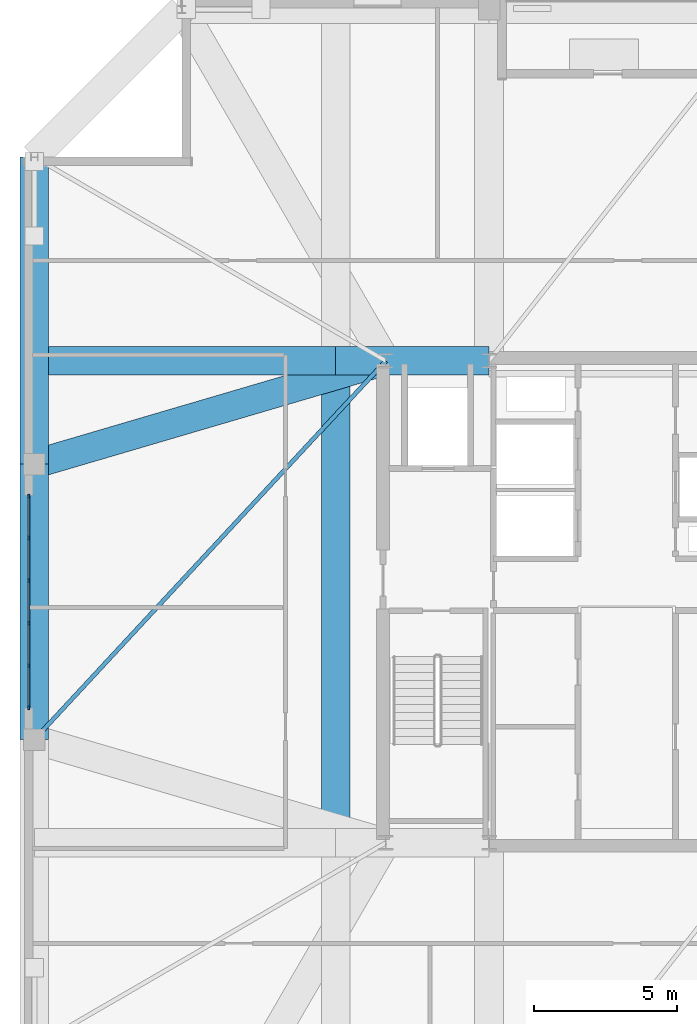
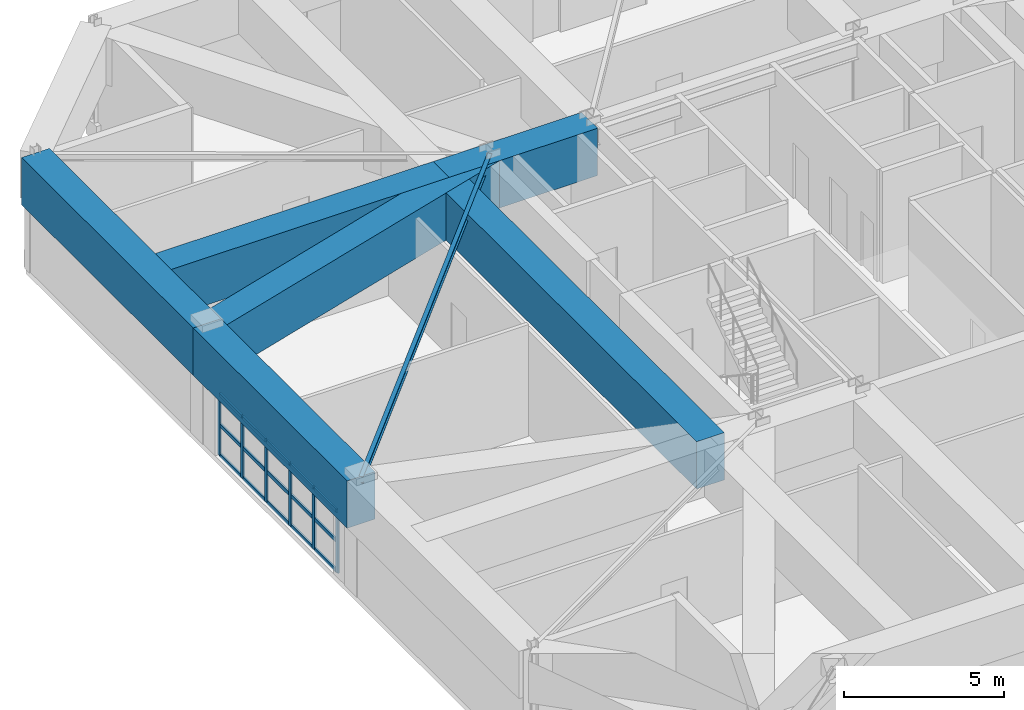
# One storey, part 8 of 17: 21 members, 7 beams, 1 element without a shape of its own.
"""IFC4 building model written with IfcOpenShell, lengths in metres."""

import ifcopenshell
import ifcopenshell.guid

model = None  # the IFC model being written
_history = None  # IfcOwnerHistory: only IFC2X3 demands one
_inside = {}  # id of a spatial element -> (the spatial element, [elements in it])
_under = {}  # id of a project, library or spatial element -> (it, [spatial elements below it])
_declared = {}  # id of a project -> (the project, [libraries it declares])
_typed = {}  # id of a type object -> (the type object, [elements of that type])
_made_of = {}  # id of a material, layer set ... -> (it, [elements and type objects made of it])


def new_model(schema):
    """Start an empty IFC model of exactly this schema.

    Asked for "IFC4X3", IfcOpenShell would pick the latest addendum, in which some entities
    have other attributes; the version numbers below select the first issue.
    IFC2X3 requires an IfcOwnerHistory on every rooted entity: one is made here for all.
    """
    global model, _history
    if schema == "IFC4X3":
        model = ifcopenshell.file(schema_version=(4, 3, 0, 0))
    else:
        model = ifcopenshell.file(schema=schema)
    _inside.clear()
    _under.clear()
    _declared.clear()
    _typed.clear()
    _made_of.clear()
    _history = None
    if model.schema == "IFC2X3":
        org = make("IfcOrganization", Name="unknown")
        user = make(
            "IfcPersonAndOrganization",
            ThePerson=make("IfcPerson", FamilyName="unknown"),
            TheOrganization=org,
        )
        app = make(
            "IfcApplication",
            ApplicationDeveloper=org,
            Version="unknown",
            ApplicationFullName="unknown",
            ApplicationIdentifier="unknown",
        )
        _history = make(
            "IfcOwnerHistory",
            OwningUser=user,
            OwningApplication=app,
            ChangeAction="ADDED",
            CreationDate=0,
        )
    return model


def make(cls, **values):
    """One entity of the class cls with the attributes given. An attribute that is None is left unset."""
    return model.create_entity(
        cls, **{name: value for name, value in values.items() if value is not None}
    )


def rooted(cls, **values):
    """An entity with a GlobalId (a new one), such as an element, a storey or a relation."""
    return make(cls, GlobalId=ifcopenshell.guid.new(), OwnerHistory=_history, **values)


def si_unit(unit_type, name, prefix=None):
    """IfcSIUnit, for example si_unit("LENGTHUNIT", "METRE", prefix="MILLI")."""
    return make("IfcSIUnit", UnitType=unit_type, Prefix=prefix, Name=name)


def assignment(units):
    """IfcUnitAssignment: the units of a project."""
    return None if units is None else make("IfcUnitAssignment", Units=units)


def point(xyz):
    """IfcCartesianPoint."""
    return None if xyz is None else make("IfcCartesianPoint", Coordinates=xyz)


def direction(xyz):
    """IfcDirection."""
    return None if xyz is None else make("IfcDirection", DirectionRatios=xyz)


def frame(location, z_axis=None, x_axis=None):
    """IfcAxis2Placement3D, a coordinate frame: its origin and axes. An axis left out is left unset."""
    return make(
        "IfcAxis2Placement3D",
        Location=point(location),
        Axis=direction(z_axis),
        RefDirection=direction(x_axis),
    )


def frame_2d(location, x_axis=None):
    """IfcAxis2Placement2D, a coordinate frame in the plane: its origin and x axis."""
    return make(
        "IfcAxis2Placement2D", Location=point(location), RefDirection=direction(x_axis)
    )


def origin():
    """The frame at (0, 0, 0) with its axes left unset."""
    return frame((0.0, 0.0, 0.0))


def origin_2d():
    """The frame at (0, 0) in the plane with its x axis left unset."""
    return frame_2d((0.0, 0.0))


def place(relative_to, where):
    """IfcLocalPlacement: puts the frame where relative to a parent placement (None: the world)."""
    return make(
        "IfcLocalPlacement", PlacementRelTo=relative_to, RelativePlacement=where
    )


def context(
    kind, dimensions, precision=None, world=None, true_north=None, identifier=None
):
    """IfcGeometricRepresentationContext, for example the 3D "Model" context."""
    return make(
        "IfcGeometricRepresentationContext",
        ContextIdentifier=identifier,
        ContextType=kind,
        CoordinateSpaceDimension=dimensions,
        Precision=precision,
        WorldCoordinateSystem=world,
        TrueNorth=true_north,
    )


def subcontext(parent, identifier, kind, view, scale=None):
    """IfcGeometricRepresentationSubContext, for example "Body" below "Model"."""
    return make(
        "IfcGeometricRepresentationSubContext",
        ContextIdentifier=identifier,
        ContextType=kind,
        ParentContext=parent,
        TargetScale=scale,
        TargetView=view,
    )


def project(units=None, contexts=None):
    """IfcProject with its units and contexts."""
    return rooted(
        "IfcProject",
        Name="project",
        RepresentationContexts=contexts,
        UnitsInContext=assignment(units),
    )


def spatial(cls, under=None, at=None, **own):
    """A site, building, storey or space (cls), placed at a placement, below another one or the project."""
    s = rooted(cls, ObjectPlacement=at, **own)
    if under is not None:
        _under.setdefault(under.id(), (under, []))[1].append(s)
    return s


def profile(cls, at=None, kind="AREA", **sizes):
    """A parametric profile (cls). Its sizes go by their IFC names, for example OverallWidth=200.0."""
    return make(cls, ProfileType=kind, Position=at, **sizes)


def rectangle(**sizes):
    """IfcRectangleProfileDef."""
    return profile("IfcRectangleProfileDef", **sizes)


def i_section(**sizes):
    """IfcIShapeProfileDef."""
    return profile("IfcIShapeProfileDef", **sizes)


def extrude(swept, where, along, depth):
    """IfcExtrudedAreaSolid: the profile swept, set in the frame where, extruded along a direction by depth."""
    return make(
        "IfcExtrudedAreaSolid",
        SweptArea=swept,
        Position=where,
        ExtrudedDirection=direction(along),
        Depth=depth,
    )


def shape(context_of_items, identifier, shape_type, items):
    """IfcShapeRepresentation: the items that make up one representation, for example the "Body"."""
    return make(
        "IfcShapeRepresentation",
        ContextOfItems=context_of_items,
        RepresentationIdentifier=identifier,
        RepresentationType=shape_type,
        Items=items,
    )


def material(Name=None, Category=None):
    """IfcMaterial."""
    return make("IfcMaterial", Name=Name, Category=Category)


def layer(
    of_material, thickness, ventilated=None, Name=None, Category=None, Priority=None
):
    """IfcMaterialLayer: one layer of a wall or slab, of a material (None: an air gap)."""
    return make(
        "IfcMaterialLayer",
        Material=of_material,
        LayerThickness=thickness,
        IsVentilated=ventilated,
        Name=Name,
        Category=Category,
        Priority=Priority,
    )


def layer_set(layers, Name=None):
    """IfcMaterialLayerSet."""
    return make("IfcMaterialLayerSet", MaterialLayers=layers, LayerSetName=Name)


def material_profile(
    of_material, cross_section, Name=None, Category=None, Priority=None
):
    """IfcMaterialProfile: a cross section and its material."""
    return make(
        "IfcMaterialProfile",
        Name=Name,
        Material=of_material,
        Profile=cross_section,
        Priority=Priority,
        Category=Category,
    )


def profile_set(profiles, Name=None, composite=None):
    """IfcMaterialProfileSet."""
    return make(
        "IfcMaterialProfileSet",
        Name=Name,
        MaterialProfiles=profiles,
        CompositeProfile=composite,
    )


def made_of(thing, what):
    """Note that an element or type object is made of a material, layer set ...; save() writes the relation."""
    if what is not None:
        _made_of.setdefault(what.id(), (what, []))[1].append(thing)
    return thing


def type_object(cls, material=None, **own):
    """A type object (cls), such as IfcWallType, which elements share."""
    return made_of(rooted(cls, **own), material)


def element(
    cls,
    number,
    at=None,
    inside=None,
    cuts=None,
    type_object=None,
    material=None,
    context=None,
    identifier="Body",
    shape_type=None,
    held_by="IfcProductDefinitionShape",
    body=None,
    shapes=None,
    **own,
):
    """One element of the class cls, such as IfcWall. Its Tag is "e" and its number.

    at: its placement. inside: the storey or other place that contains it. cuts: it is an
    opening in that element (IfcRelVoidsElement). A single representation is given by context,
    identifier, shape_type and body (its items); several are given by shapes. held_by: the class
    of the entity that holds the representations. save() writes the other relations.
    """
    e = rooted(cls, Tag="e%d" % number, ObjectPlacement=at, **own)
    if body is not None:
        shapes = [shape(context, identifier, shape_type, body)]
    if shapes is not None:
        e.Representation = make(held_by, Representations=shapes)
    if inside is not None:
        _inside.setdefault(inside.id(), (inside, []))[1].append(e)
    if cuts is not None:
        rooted(
            "IfcRelVoidsElement", RelatingBuildingElement=cuts, RelatedOpeningElement=e
        )
    if type_object is not None:
        _typed.setdefault(type_object.id(), (type_object, []))[1].append(e)
    return made_of(e, material)


def aggregate(whole, parts):
    """IfcRelAggregates: a whole, such as a stair, and the parts it consists of."""
    return rooted("IfcRelAggregates", RelatingObject=whole, RelatedObjects=parts)


def save(model, path):
    """Write the relations noted so far, then the file.

    IfcRelAggregates (storeys below a building ...), IfcRelContainedInSpatialStructure (elements
    in a storey), IfcRelDefinesByType, IfcRelAssociatesMaterial and IfcRelDeclares: one each for
    every whole, place, type object, material and project.
    """
    for whole, parts in _under.values():
        aggregate(whole, parts)
    for where, things in _inside.values():
        rooted(
            "IfcRelContainedInSpatialStructure",
            RelatedElements=things,
            RelatingStructure=where,
        )
    for kind, things in _typed.values():
        rooted("IfcRelDefinesByType", RelatedObjects=things, RelatingType=kind)
    for what, things in _made_of.values():
        rooted("IfcRelAssociatesMaterial", RelatedObjects=things, RelatingMaterial=what)
    for by, libraries in _declared.values():
        rooted("IfcRelDeclares", RelatingContext=by, RelatedDefinitions=libraries)
    model.write(path)


model = new_model("IFC4")

# Units and contexts
model_context = context("Model", 3, precision=1e-05, world=origin(), true_north=direction((0.0, 1.0)))
body_context = subcontext(model_context, "Body", "Model", "MODEL_VIEW")
ifc_project = project(units=[si_unit("LENGTHUNIT", "METRE"), si_unit("AREAUNIT", "SQUARE_METRE"), si_unit("VOLUMEUNIT", "CUBIC_METRE"), si_unit("PLANEANGLEUNIT", "RADIAN"), si_unit("MASSUNIT", "GRAM", prefix="KILO")], contexts=[model_context])

# Site, building, storey
site_placement = place(None, origin())
site = spatial("IfcSite", under=ifc_project, at=site_placement, CompositionType="ELEMENT")
building_placement = place(site_placement, origin())
building = spatial("IfcBuilding", under=site, at=building_placement, Name="Cairnveth Concourse Tower", CompositionType="ELEMENT")
storey_placement = place(building_placement, frame((0.0, 0.0, 320.0)))
storey = spatial("IfcBuildingStorey", under=building, at=storey_placement, Name="L88", CompositionType="ELEMENT", Elevation=320.0)

# Curtain wall, members
ifc_material_1 = material(Name="Architectural Bronze Anodised Aluminium 6063-T6", Category="aluminium")
ifc_layer = layer(ifc_material_1, 0.300048828125)
ifc_layer_set = layer_set([ifc_layer], Name="Architectural Bronze Anodised Aluminium 6063-T6")
curtain_wall_type = type_object("IfcCurtainWallType", Name="OBSERVATION HORIZON CURTAIN WALL", PredefinedType="USERDEFINED", material=ifc_layer_set)
curtain_wall_placement = place(storey_placement, origin())
curtain_wall = element("IfcCurtainWall", 1, at=curtain_wall_placement, inside=storey, type_object=curtain_wall_type, Name="Curtain Wall CW-L88-F9", ObjectType="UNITISED FACADE", PredefinedType="USERDEFINED")
ifc_material_profile_1 = material_profile(ifc_material_1, rectangle(XDim=0.06494140625, YDim=0.14990234375, at=origin_2d()), Name="AL-MUL-65x150")
ifc_profile_set_1 = profile_set([ifc_material_profile_1], Name="Architectural Bronze Anodised Aluminium 6063-T6")
member_type_1 = type_object("IfcMemberType", Name="BRONZE CURTAIN WALL MULLION AL-MUL-65x150", PredefinedType="MULLION", material=ifc_profile_set_1)
member_1_placement = place(storey_placement, frame((31.14990234375, 35.3173828125, 0.0), z_axis=(0.0, 0.0, 1.0), x_axis=(-1.0, 0.0, 0.0)))
member_1 = element("IfcMember", 2, at=member_1_placement, type_object=member_type_1, Name="CWS5 mullion 1", PredefinedType="MULLION", context=body_context, shape_type="SweptSolid", body=[
    extrude(rectangle(XDim=0.06494140625, YDim=0.14990234375, at=origin_2d()), origin(), (0.0, 0.0, 1.0), 2.35009765625),
])
member_2_placement = place(storey_placement, frame((31.14990234375, 36.77099609375, 0.0), z_axis=(0.0, 0.0, 1.0), x_axis=(-1.0, 0.0, 0.0)))
member_2 = element("IfcMember", 3, at=member_2_placement, type_object=member_type_1, Name="CWS5 mullion 2", PredefinedType="MULLION", context=body_context, shape_type="SweptSolid", body=[
    extrude(rectangle(XDim=0.06494140625, YDim=0.14990234375, at=origin_2d()), origin(), (0.0, 0.0, 1.0), 2.35009765625),
])
member_3_placement = place(storey_placement, frame((31.14990234375, 38.257080078125, 0.0), z_axis=(0.0, 0.0, 1.0), x_axis=(-1.0, 0.0, 0.0)))
member_3 = element("IfcMember", 4, at=member_3_placement, type_object=member_type_1, Name="CWS5 mullion 3", PredefinedType="MULLION", context=body_context, shape_type="SweptSolid", body=[
    extrude(rectangle(XDim=0.06494140625, YDim=0.14990234375, at=origin_2d()), origin(), (0.0, 0.0, 1.0), 2.35009765625),
])
member_4_placement = place(storey_placement, frame((31.14990234375, 39.742919921875, 0.0), z_axis=(0.0, 0.0, 1.0), x_axis=(-1.0, 0.0, 0.0)))
member_4 = element("IfcMember", 5, at=member_4_placement, type_object=member_type_1, Name="CWS5 mullion 4", PredefinedType="MULLION", context=body_context, shape_type="SweptSolid", body=[
    extrude(rectangle(XDim=0.06494140625, YDim=0.14990234375, at=origin_2d()), origin(), (0.0, 0.0, 1.0), 2.35009765625),
])
member_5_placement = place(storey_placement, frame((31.14990234375, 41.22900390625, 0.0), z_axis=(0.0, 0.0, 1.0), x_axis=(-1.0, 0.0, 0.0)))
member_5 = element("IfcMember", 6, at=member_5_placement, type_object=member_type_1, Name="CWS5 mullion 5", PredefinedType="MULLION", context=body_context, shape_type="SweptSolid", body=[
    extrude(rectangle(XDim=0.06494140625, YDim=0.14990234375, at=origin_2d()), origin(), (0.0, 0.0, 1.0), 2.35009765625),
])
member_6_placement = place(storey_placement, frame((31.14990234375, 42.6826171875, 0.0), z_axis=(0.0, 0.0, 1.0), x_axis=(-1.0, 0.0, 0.0)))
member_6 = element("IfcMember", 7, at=member_6_placement, type_object=member_type_1, Name="CWS5 mullion 6", PredefinedType="MULLION", context=body_context, shape_type="SweptSolid", body=[
    extrude(rectangle(XDim=0.06494140625, YDim=0.14990234375, at=origin_2d()), origin(), (0.0, 0.0, 1.0), 2.35009765625),
])
ifc_material_profile_2 = material_profile(ifc_material_1, rectangle(XDim=0.06494140625, YDim=0.139892578125, at=origin_2d()), Name="AL-TRN-65x140")
ifc_profile_set_2 = profile_set([ifc_material_profile_2], Name="Architectural Bronze Anodised Aluminium 6063-T6")
member_type_2 = type_object("IfcMemberType", Name="BRONZE CURTAIN WALL TRANSOM AL-TRN-65x140", PredefinedType="USERDEFINED", material=ifc_profile_set_2)
member_7_placement = place(storey_placement, frame((31.14990234375, 35.35009765625, 0.032470703125), z_axis=(0.0, 1.0, 0.0), x_axis=(-1.0, 0.0, 0.0)))
member_7 = element("IfcMember", 8, at=member_7_placement, type_object=member_type_2, Name="CWS5 transom 1.1", ObjectType="TRANSOM", PredefinedType="USERDEFINED", context=body_context, shape_type="SweptSolid", body=[
    extrude(rectangle(XDim=0.06494140625, YDim=0.139892578125, at=origin_2d()), origin(), (0.0, 0.0, 1.0), 1.388427734375),
])
member_8_placement = place(storey_placement, frame((31.14990234375, 35.35009765625, 1.175048828125), z_axis=(0.0, 1.0, 0.0), x_axis=(-1.0, 0.0, 0.0)))
member_8 = element("IfcMember", 9, at=member_8_placement, type_object=member_type_2, Name="CWS5 transom 1.2", ObjectType="TRANSOM", PredefinedType="USERDEFINED", context=body_context, shape_type="SweptSolid", body=[
    extrude(rectangle(XDim=0.06494140625, YDim=0.139892578125, at=origin_2d()), origin(), (0.0, 0.0, 1.0), 1.388427734375),
])
member_9_placement = place(storey_placement, frame((31.14990234375, 35.35009765625, 2.3173828125), z_axis=(0.0, 1.0, 0.0), x_axis=(-1.0, 0.0, 0.0)))
member_9 = element("IfcMember", 10, at=member_9_placement, type_object=member_type_2, Name="CWS5 transom 1.3", ObjectType="TRANSOM", PredefinedType="USERDEFINED", context=body_context, shape_type="SweptSolid", body=[
    extrude(rectangle(XDim=0.06494140625, YDim=0.139892578125, at=origin_2d()), origin(), (0.0, 0.0, 1.0), 1.388427734375),
])
member_10_placement = place(storey_placement, frame((31.14990234375, 36.803466796875, 0.032470703125), z_axis=(0.0, 1.0, 0.0), x_axis=(-1.0, 0.0, 0.0)))
member_10 = element("IfcMember", 11, at=member_10_placement, type_object=member_type_2, Name="CWS5 transom 2.1", ObjectType="TRANSOM", PredefinedType="USERDEFINED", context=body_context, shape_type="SweptSolid", body=[
    extrude(rectangle(XDim=0.06494140625, YDim=0.139892578125, at=origin_2d()), origin(), (0.0, 0.0, 1.0), 1.421142578125),
])
member_11_placement = place(storey_placement, frame((31.14990234375, 36.803466796875, 1.175048828125), z_axis=(0.0, 1.0, 0.0), x_axis=(-1.0, 0.0, 0.0)))
member_11 = element("IfcMember", 12, at=member_11_placement, type_object=member_type_2, Name="CWS5 transom 2.2", ObjectType="TRANSOM", PredefinedType="USERDEFINED", context=body_context, shape_type="SweptSolid", body=[
    extrude(rectangle(XDim=0.06494140625, YDim=0.139892578125, at=origin_2d()), origin(), (0.0, 0.0, 1.0), 1.421142578125),
])
member_12_placement = place(storey_placement, frame((31.14990234375, 36.803466796875, 2.3173828125), z_axis=(0.0, 1.0, 0.0), x_axis=(-1.0, 0.0, 0.0)))
member_12 = element("IfcMember", 13, at=member_12_placement, type_object=member_type_2, Name="CWS5 transom 2.3", ObjectType="TRANSOM", PredefinedType="USERDEFINED", context=body_context, shape_type="SweptSolid", body=[
    extrude(rectangle(XDim=0.06494140625, YDim=0.139892578125, at=origin_2d()), origin(), (0.0, 0.0, 1.0), 1.421142578125),
])
member_13_placement = place(storey_placement, frame((31.14990234375, 38.28955078125, 0.032470703125), z_axis=(0.0, 1.0, 0.0), x_axis=(-1.0, 0.0, 0.0)))
member_13 = element("IfcMember", 14, at=member_13_placement, type_object=member_type_2, Name="CWS5 transom 3.1", ObjectType="TRANSOM", PredefinedType="USERDEFINED", context=body_context, shape_type="SweptSolid", body=[
    extrude(rectangle(XDim=0.06494140625, YDim=0.139892578125, at=origin_2d()), origin(), (0.0, 0.0, 1.0), 1.4208984375),
])
member_14_placement = place(storey_placement, frame((31.14990234375, 38.28955078125, 1.175048828125), z_axis=(0.0, 1.0, 0.0), x_axis=(-1.0, 0.0, 0.0)))
member_14 = element("IfcMember", 15, at=member_14_placement, type_object=member_type_2, Name="CWS5 transom 3.2", ObjectType="TRANSOM", PredefinedType="USERDEFINED", context=body_context, shape_type="SweptSolid", body=[
    extrude(rectangle(XDim=0.06494140625, YDim=0.139892578125, at=origin_2d()), origin(), (0.0, 0.0, 1.0), 1.4208984375),
])
member_15_placement = place(storey_placement, frame((31.14990234375, 38.28955078125, 2.3173828125), z_axis=(0.0, 1.0, 0.0), x_axis=(-1.0, 0.0, 0.0)))
member_15 = element("IfcMember", 16, at=member_15_placement, type_object=member_type_2, Name="CWS5 transom 3.3", ObjectType="TRANSOM", PredefinedType="USERDEFINED", context=body_context, shape_type="SweptSolid", body=[
    extrude(rectangle(XDim=0.06494140625, YDim=0.139892578125, at=origin_2d()), origin(), (0.0, 0.0, 1.0), 1.4208984375),
])
member_16_placement = place(storey_placement, frame((31.14990234375, 39.775390625, 0.032470703125), z_axis=(0.0, 1.0, 0.0), x_axis=(-1.0, 0.0, 0.0)))
member_16 = element("IfcMember", 17, at=member_16_placement, type_object=member_type_2, Name="CWS5 transom 4.1", ObjectType="TRANSOM", PredefinedType="USERDEFINED", context=body_context, shape_type="SweptSolid", body=[
    extrude(rectangle(XDim=0.06494140625, YDim=0.139892578125, at=origin_2d()), origin(), (0.0, 0.0, 1.0), 1.421142578125),
])
member_17_placement = place(storey_placement, frame((31.14990234375, 39.775390625, 1.175048828125), z_axis=(0.0, 1.0, 0.0), x_axis=(-1.0, 0.0, 0.0)))
member_17 = element("IfcMember", 18, at=member_17_placement, type_object=member_type_2, Name="CWS5 transom 4.2", ObjectType="TRANSOM", PredefinedType="USERDEFINED", context=body_context, shape_type="SweptSolid", body=[
    extrude(rectangle(XDim=0.06494140625, YDim=0.139892578125, at=origin_2d()), origin(), (0.0, 0.0, 1.0), 1.421142578125),
])
member_18_placement = place(storey_placement, frame((31.14990234375, 39.775390625, 2.3173828125), z_axis=(0.0, 1.0, 0.0), x_axis=(-1.0, 0.0, 0.0)))
member_18 = element("IfcMember", 19, at=member_18_placement, type_object=member_type_2, Name="CWS5 transom 4.3", ObjectType="TRANSOM", PredefinedType="USERDEFINED", context=body_context, shape_type="SweptSolid", body=[
    extrude(rectangle(XDim=0.06494140625, YDim=0.139892578125, at=origin_2d()), origin(), (0.0, 0.0, 1.0), 1.421142578125),
])
member_19_placement = place(storey_placement, frame((31.14990234375, 41.261474609375, 0.032470703125), z_axis=(0.0, 1.0, 0.0), x_axis=(-1.0, 0.0, 0.0)))
member_19 = element("IfcMember", 20, at=member_19_placement, type_object=member_type_2, Name="CWS5 transom 5.1", ObjectType="TRANSOM", PredefinedType="USERDEFINED", context=body_context, shape_type="SweptSolid", body=[
    extrude(rectangle(XDim=0.06494140625, YDim=0.139892578125, at=origin_2d()), origin(), (0.0, 0.0, 1.0), 1.388427734375),
])
member_20_placement = place(storey_placement, frame((31.14990234375, 41.261474609375, 1.175048828125), z_axis=(0.0, 1.0, 0.0), x_axis=(-1.0, 0.0, 0.0)))
member_20 = element("IfcMember", 21, at=member_20_placement, type_object=member_type_2, Name="CWS5 transom 5.2", ObjectType="TRANSOM", PredefinedType="USERDEFINED", context=body_context, shape_type="SweptSolid", body=[
    extrude(rectangle(XDim=0.06494140625, YDim=0.139892578125, at=origin_2d()), origin(), (0.0, 0.0, 1.0), 1.388427734375),
])
member_21_placement = place(storey_placement, frame((31.14990234375, 41.261474609375, 2.3173828125), z_axis=(0.0, 1.0, 0.0), x_axis=(-1.0, 0.0, 0.0)))
member_21 = element("IfcMember", 22, at=member_21_placement, type_object=member_type_2, Name="CWS5 transom 5.3", ObjectType="TRANSOM", PredefinedType="USERDEFINED", context=body_context, shape_type="SweptSolid", body=[
    extrude(rectangle(XDim=0.06494140625, YDim=0.139892578125, at=origin_2d()), origin(), (0.0, 0.0, 1.0), 1.388427734375),
])
aggregate(curtain_wall, [member_1, member_2, member_3, member_4, member_5, member_6, member_7, member_8, member_9, member_10, member_11, member_12, member_13, member_14, member_15, member_16, member_17, member_18, member_19, member_20, member_21])

# Beams
ifc_material_2 = material(Name="Concrete N65 (65 MPa)", Category="concrete")
ifc_material_profile_3 = material_profile(ifc_material_2, rectangle(XDim=1.0, YDim=1.800048828125, at=origin_2d()), Name="RC-TB-1000x1800")
ifc_profile_set_3 = profile_set([ifc_material_profile_3], Name="Concrete N65 (65 MPa)")
beam_type_1 = type_object("IfcBeamType", Name="CONCRETE TRANSFER GIRDER 1000X1800", PredefinedType="BEAM", material=ifc_profile_set_3)
beam_1_placement = place(storey_placement, frame((31.35009765625, 34.199951171875, 3.35009765625), z_axis=(0.0, 1.0, 0.0), x_axis=(-1.0, 0.0, 0.0)))
element("IfcBeam", 23, at=beam_1_placement, inside=storey, type_object=beam_type_1, Name="Beam SP-W2 L88", PredefinedType="BEAM", context=body_context, shape_type="SweptSolid", body=[
    extrude(rectangle(XDim=1.0, YDim=1.800048828125, at=origin_2d()), origin(), (0.0, 0.0, 1.0), 9.60009765625),
])
beam_2_placement = place(storey_placement, frame((31.35009765625, 43.800048828125, 3.35009765625), z_axis=(0.0, 1.0, 0.0), x_axis=(-1.0, 0.0, 0.0)))
element("IfcBeam", 24, at=beam_2_placement, inside=storey, type_object=beam_type_1, Name="Beam SP-W3 L88", PredefinedType="BEAM", context=body_context, shape_type="SweptSolid", body=[
    extrude(rectangle(XDim=1.0, YDim=1.800048828125, at=origin_2d()), origin(), (0.0, 0.0, 1.0), 10.699951171875),
])
beam_3_placement = place(storey_placement, frame((31.35009765625, 43.800048828125, 3.35009765625), z_axis=(0.959430938842, 0.281943741893, 0.0), x_axis=(-0.281943741893, 0.959430938842, 0.0)))
element("IfcBeam", 25, at=beam_3_placement, inside=storey, type_object=beam_type_1, Name="Beam RG-W2 L88", PredefinedType="BEAM", context=body_context, shape_type="SweptSolid", body=[
    extrude(rectangle(XDim=1.0, YDim=1.800048828125, at=origin_2d()), origin(), (0.0, 0.0, 1.0), 12.76806640625),
])
beam_4_placement = place(storey_placement, frame((31.35009765625, 47.39990234375, 3.35009765625), z_axis=(1.0, 0.0, 0.0), x_axis=(0.0, 1.0, 0.0)))
element("IfcBeam", 26, at=beam_4_placement, inside=storey, type_object=beam_type_1, Name="Beam CTG-WM2A L88", PredefinedType="BEAM", context=body_context, shape_type="SweptSolid", body=[
    extrude(rectangle(XDim=1.0, YDim=1.800048828125, at=origin_2d()), origin(), (0.0, 0.0, 1.0), 10.5),
])
beam_5_placement = place(storey_placement, frame((41.85009765625, 47.39990234375, 3.35009765625), z_axis=(1.0, 0.0, 0.0), x_axis=(0.0, 1.0, 0.0)))
element("IfcBeam", 27, at=beam_5_placement, inside=storey, type_object=beam_type_1, Name="Beam CTG-WM2B L88", PredefinedType="BEAM", context=body_context, shape_type="SweptSolid", body=[
    extrude(rectangle(XDim=1.0, YDim=1.800048828125, at=origin_2d()), origin(), (0.0, 0.0, 1.0), 5.349853515625),
])
beam_6_placement = place(storey_placement, frame((41.85009765625, 30.60009765625, 3.35009765625), z_axis=(0.0, 1.0, 0.0), x_axis=(-1.0, 0.0, 0.0)))
element("IfcBeam", 28, at=beam_6_placement, inside=storey, type_object=beam_type_1, Name="Beam CTG-W-NS2 L88", PredefinedType="BEAM", context=body_context, shape_type="SweptSolid", body=[
    extrude(rectangle(XDim=1.0, YDim=1.800048828125, at=origin_2d()), origin(), (0.0, 0.0, 1.0), 16.7998046875),
])
ifc_material_3 = material(Name="Steel Grade 350", Category="steel")
ifc_material_profile_4 = material_profile(ifc_material_3, i_section(OverallWidth=0.14599609375, OverallDepth=0.256103515625, WebThickness=0.00634765625, FlangeThickness=0.010986328125, FilletRadius=0.009033203125, at=origin_2d()), Name="250UB37.3")
ifc_profile_set_4 = profile_set([ifc_material_profile_4], Name="Steel Grade 350")
beam_type_2 = type_object("IfcBeamType", Name="ZONE 4 FLOOR JOIST 250UB37.3", PredefinedType="JOIST", material=ifc_profile_set_4)
beam_7_placement = place(storey_placement, frame((31.35009765625, 34.199951171875, 4.1220703125), z_axis=(0.680239432161, 0.732989982833, 0.0), x_axis=(-0.732989982833, 0.680239432161, 0.0)))
element("IfcBeam", 29, at=beam_7_placement, inside=storey, type_object=beam_type_2, Name="Beam FJ-W-M1 L88", PredefinedType="JOIST", context=body_context, shape_type="SweptSolid", body=[
    extrude(i_section(OverallWidth=0.14599609375, OverallDepth=0.256103515625, WebThickness=0.00634765625, FlangeThickness=0.010986328125, FilletRadius=0.009033203125, at=origin_2d()), origin(), (0.0, 0.0, 1.0), 18.00830078125),
])

save(model, "model.ifc")
